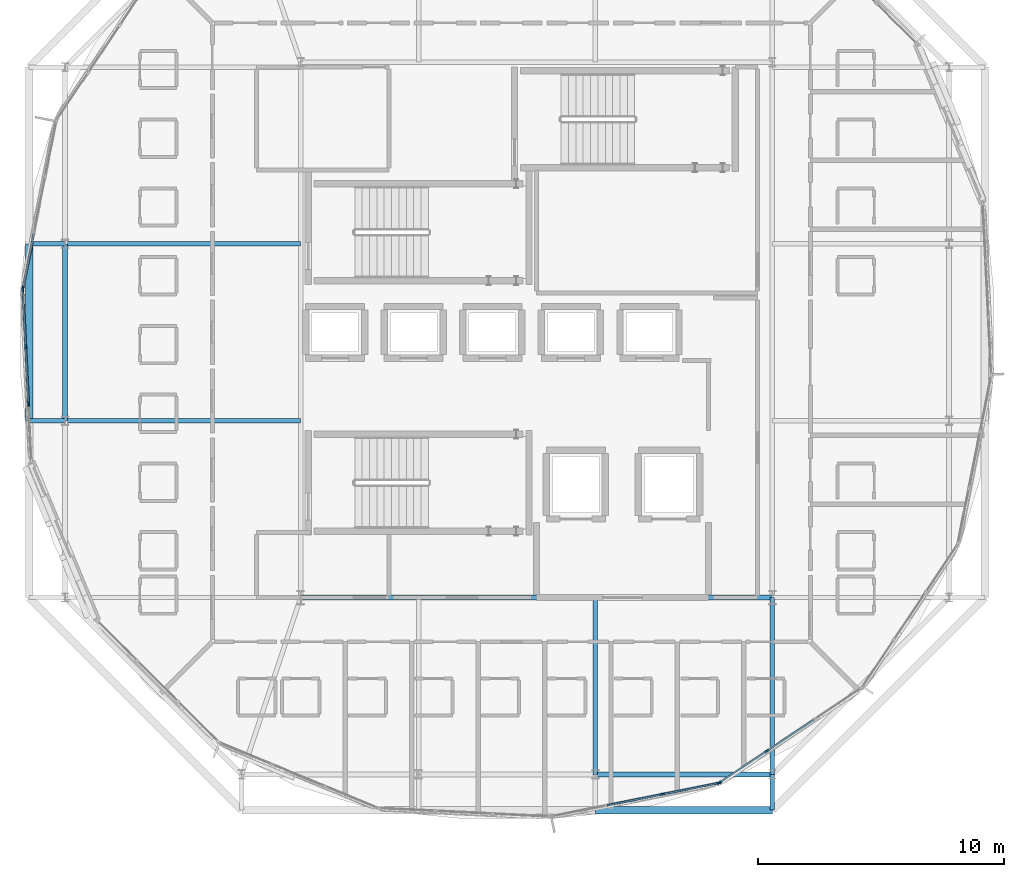
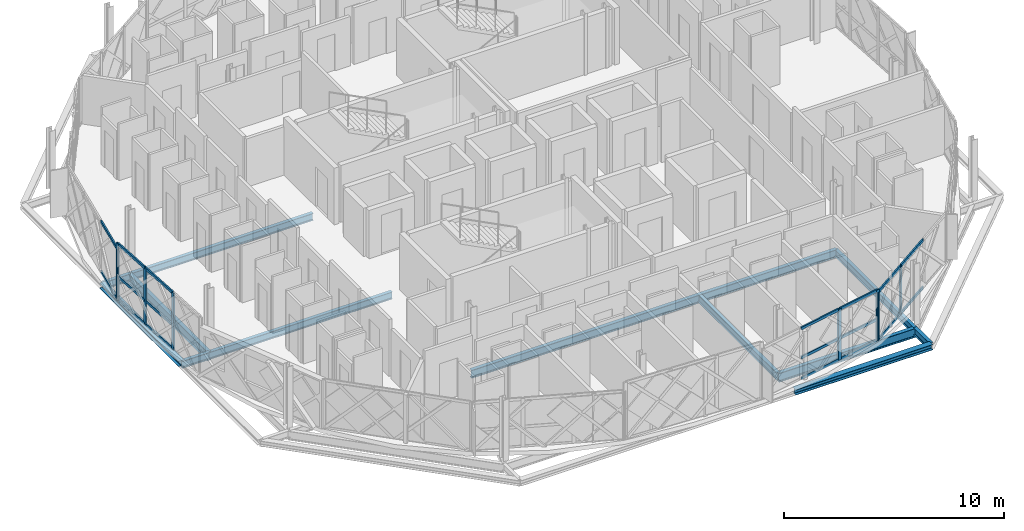
# One storey, part 6 of 24: 26 members, 12 beams, 4 elements without a shape of their own.
"""IFC4 building model written with IfcOpenShell, lengths in metres."""

from ifc_helpers import new_model, si_unit, direction, frame, origin, origin_2d, place, context, subcontext, project, spatial, rectangle, i_section, extrude, material, layer, layer_set, material_profile, profile_set, type_object, element, aggregate, save


model = new_model("IFC4")

# Units and contexts
model_context = context("Model", 3, precision=1e-05, world=origin(), true_north=direction((0.0, 1.0)))
body_context = subcontext(model_context, "Body", "Model", "MODEL_VIEW")
ifc_project = project(units=[si_unit("LENGTHUNIT", "METRE"), si_unit("AREAUNIT", "SQUARE_METRE"), si_unit("VOLUMEUNIT", "CUBIC_METRE"), si_unit("PLANEANGLEUNIT", "RADIAN"), si_unit("MASSUNIT", "GRAM", prefix="KILO")], contexts=[model_context])

# Site, building, storey
site_placement = place(None, origin())
site = spatial("IfcSite", under=ifc_project, at=site_placement, CompositionType="ELEMENT")
building_placement = place(site_placement, origin())
building = spatial("IfcBuilding", under=site, at=building_placement, Name="Zevrakil Square Congress Hotel", CompositionType="ELEMENT")
storey_placement = place(building_placement, frame((0.0, 0.0, 38.5)))
storey = spatial("IfcBuildingStorey", under=building, at=storey_placement, Name="L11", CompositionType="ELEMENT", Elevation=38.5)

# Beams
ifc_material_1 = material(Name="Steel S355", Category="steel")
ifc_material_profile_1 = material_profile(ifc_material_1, i_section(OverallWidth=0.18994140625, OverallDepth=0.449951171875, WebThickness=0.009521484375, FlangeThickness=0.0146484375, FilletRadius=0.02099609375, at=origin_2d()), Name="IPE 450")
ifc_profile_set_1 = profile_set([ifc_material_profile_1], Name="Steel S355")
beam_type_1 = type_object("IfcBeamType", Name="BM-IPE450", PredefinedType="BEAM", material=ifc_profile_set_1)
beam_1_placement = place(storey_placement, frame((136.800048828125, 16.800048828125, -0.4599609375), z_axis=(1.0, 0.0, 0.0), x_axis=(0.0, 1.0, 0.0)))
element("IfcBeam", 1, at=beam_1_placement, inside=storey, type_object=beam_type_1, Name="L11 drum core perimeter tie beam DCB-01", PredefinedType="BEAM", context=body_context, shape_type="SweptSolid", body=[
    extrude(i_section(OverallWidth=0.18994140625, OverallDepth=0.449951171875, WebThickness=0.009521484375, FlangeThickness=0.0146484375, FilletRadius=0.02099609375, at=origin_2d()), origin(), (0.0, 0.0, 1.0), 19.199951171875),
])
ifc_material_2 = material(Name="Steel S355", Category="steel")
ifc_material_profile_2 = material_profile(ifc_material_2, i_section(OverallWidth=0.199951171875, OverallDepth=0.5, WebThickness=0.01025390625, FlangeThickness=0.01611328125, FilletRadius=0.02099609375, at=origin_2d()), Name="IPE 500")
ifc_profile_set_2 = profile_set([ifc_material_profile_2], Name="Steel S355")
beam_type_2 = type_object("IfcBeamType", Name="BM-IPE500", PredefinedType="BEAM", material=ifc_profile_set_2)
for number, where, z_axis, x_axis, name in (
    (2, (148.800048828125, 9.60009765625, -0.485107421875), (1.0, 0.0, 0.0), (0.0, 1.0, 0.0), "L11 drum ring girder DRB-03"),
    (3, (127.199951171875, 31.199951171875, -0.485107421875), (0.0, -1.0, 0.0), (1.0, 0.0, 0.0), "L11 drum ring girder DRB-14"),
):
    element("IfcBeam", number, at=place(storey_placement, frame(where, z_axis=z_axis, x_axis=x_axis)), inside=storey, type_object=beam_type_2, Name=name, PredefinedType="BEAM", context=body_context, shape_type="SweptSolid", body=[
        extrude(i_section(OverallWidth=0.199951171875, OverallDepth=0.5, WebThickness=0.01025390625, FlangeThickness=0.01611328125, FilletRadius=0.02099609375, at=origin_2d()), origin(), (0.0, 0.0, 1.0), 7.199951171875),
    ])

# Curtain wall, members
ifc_material_3 = material(Name="Aluminium Anodised Bronze", Category="aluminium")
ifc_layer = layer(ifc_material_3, 0.179931640625)
ifc_layer_set = layer_set([ifc_layer], Name="Aluminium Anodised Bronze")
curtain_wall_type = type_object("IfcCurtainWallType", Name="CW-L11-720", PredefinedType="USERDEFINED", material=ifc_layer_set)
curtain_wall_1_placement = place(storey_placement, origin())
curtain_wall_1 = element("IfcCurtainWall", 4, at=curtain_wall_1_placement, inside=storey, type_object=curtain_wall_type, Name="L11 diamond curtain wall CW-L11-0286", ObjectType="GLAZED CURTAIN WALL", PredefinedType="USERDEFINED")
ifc_material_4 = material(Name="Aluminium Anodised Bronze", Category="aluminium")
ifc_material_profile_3 = material_profile(ifc_material_4, rectangle(XDim=0.074951171875, YDim=0.14990234375, at=origin_2d()), Name="ALU 75x150")
ifc_profile_set_3 = profile_set([ifc_material_profile_3], Name="Aluminium Anodised Bronze")
member_type_1 = type_object("IfcMemberType", Name="CWM-ALU75x150", PredefinedType="USERDEFINED", material=ifc_profile_set_3)
member_1_placement = place(storey_placement, frame((149.28076171875, 8.345458984375, 0.030029296875), z_axis=(0.980786492568, 0.195084227953, 0.0), x_axis=(-0.195084227953, 0.980786492568, 0.0)))
member_1 = element("IfcMember", 5, at=member_1_placement, type_object=member_type_1, Name="CW-130 transom 2.1", ObjectType="TRANSOM", PredefinedType="USERDEFINED", context=body_context, shape_type="SweptSolid", body=[
    extrude(rectangle(XDim=0.074951171875, YDim=0.14990234375, at=origin_2d()), origin(), (0.0, 0.0, 1.0), 2.275146484375),
])
member_2_placement = place(storey_placement, frame((149.28076171875, 8.345458984375, 1.190673828125), z_axis=(0.980786492568, 0.195084227953, 0.0), x_axis=(-0.195084227953, 0.980786492568, 0.0)))
member_2 = element("IfcMember", 6, at=member_2_placement, type_object=member_type_1, Name="CW-130 transom 2.2", ObjectType="TRANSOM", PredefinedType="USERDEFINED", context=body_context, shape_type="SweptSolid", body=[
    extrude(rectangle(XDim=0.074951171875, YDim=0.14990234375, at=origin_2d()), origin(), (0.0, 0.0, 1.0), 2.275146484375),
])
member_3_placement = place(storey_placement, frame((149.28076171875, 8.345458984375, 2.804931640625), z_axis=(0.980786492568, 0.195084227953, 0.0), x_axis=(-0.195084227953, 0.980786492568, 0.0)))
member_3 = element("IfcMember", 7, at=member_3_placement, type_object=member_type_1, Name="CW-130 transom 2.3", ObjectType="TRANSOM", PredefinedType="USERDEFINED", context=body_context, shape_type="SweptSolid", body=[
    extrude(rectangle(XDim=0.074951171875, YDim=0.14990234375, at=origin_2d()), origin(), (0.0, 0.0, 1.0), 2.275146484375),
])
member_4_placement = place(storey_placement, frame((151.571044921875, 8.801025390625, 0.030029296875), z_axis=(0.98078922397, 0.195070495322, 0.0), x_axis=(-0.195070495322, 0.98078922397, 0.0)))
member_4 = element("IfcMember", 8, at=member_4_placement, type_object=member_type_1, Name="CW-130 transom 3.1", ObjectType="TRANSOM", PredefinedType="USERDEFINED", context=body_context, shape_type="SweptSolid", body=[
    extrude(rectangle(XDim=0.074951171875, YDim=0.14990234375, at=origin_2d()), origin(), (0.0, 0.0, 1.0), 2.245361328125),
])
member_5_placement = place(storey_placement, frame((151.571044921875, 8.801025390625, 1.190673828125), z_axis=(0.98078922397, 0.195070495322, 0.0), x_axis=(-0.195070495322, 0.98078922397, 0.0)))
member_5 = element("IfcMember", 9, at=member_5_placement, type_object=member_type_1, Name="CW-130 transom 3.2", ObjectType="TRANSOM", PredefinedType="USERDEFINED", context=body_context, shape_type="SweptSolid", body=[
    extrude(rectangle(XDim=0.074951171875, YDim=0.14990234375, at=origin_2d()), origin(), (0.0, 0.0, 1.0), 2.245361328125),
])
member_6_placement = place(storey_placement, frame((151.571044921875, 8.801025390625, 2.804931640625), z_axis=(0.98078922397, 0.195070495322, 0.0), x_axis=(-0.195070495322, 0.98078922397, 0.0)))
member_6 = element("IfcMember", 10, at=member_6_placement, type_object=member_type_1, Name="CW-130 transom 3.3", ObjectType="TRANSOM", PredefinedType="USERDEFINED", context=body_context, shape_type="SweptSolid", body=[
    extrude(rectangle(XDim=0.074951171875, YDim=0.14990234375, at=origin_2d()), origin(), (0.0, 0.0, 1.0), 2.245361328125),
])

curtain_wall_2_placement = place(storey_placement, origin())
curtain_wall_2 = element("IfcCurtainWall", 11, at=curtain_wall_2_placement, inside=storey, type_object=curtain_wall_type, Name="L11 diamond curtain wall CW-L11-0287", ObjectType="GLAZED CURTAIN WALL", PredefinedType="USERDEFINED")
member_7_placement = place(storey_placement, frame((153.882080078125, 9.283935546875, 0.030029296875), z_axis=(0.83141404634, 0.555653384358, 0.0), x_axis=(-0.555653384358, 0.83141404634, 0.0)))
member_7 = element("IfcMember", 12, at=member_7_placement, type_object=member_type_1, Name="CW-130 transom 1.1", ObjectType="TRANSOM", PredefinedType="USERDEFINED", context=body_context, shape_type="SweptSolid", body=[
    extrude(rectangle(XDim=0.074951171875, YDim=0.14990234375, at=origin_2d()), origin(), (0.0, 0.0, 1.0), 2.2451171875),
])
member_8_placement = place(storey_placement, frame((153.882080078125, 9.283935546875, 2.6650390625), z_axis=(0.83141404634, 0.555653384358, 0.0), x_axis=(-0.555653384358, 0.83141404634, 0.0)))
member_8 = element("IfcMember", 13, at=member_8_placement, type_object=member_type_1, Name="CW-130 transom 1.2", ObjectType="TRANSOM", PredefinedType="USERDEFINED", context=body_context, shape_type="SweptSolid", body=[
    extrude(rectangle(XDim=0.074951171875, YDim=0.14990234375, at=origin_2d()), origin(), (0.0, 0.0, 1.0), 2.2451171875),
])
member_9_placement = place(storey_placement, frame((155.798828125, 10.564697265625, 0.030029296875), z_axis=(0.831422423114, 0.55564085014, 0.0), x_axis=(-0.55564085014, 0.831422423114, 0.0)))
member_9 = element("IfcMember", 14, at=member_9_placement, type_object=member_type_1, Name="CW-130 transom 2.1", ObjectType="TRANSOM", PredefinedType="USERDEFINED", context=body_context, shape_type="SweptSolid", body=[
    extrude(rectangle(XDim=0.074951171875, YDim=0.14990234375, at=origin_2d()), origin(), (0.0, 0.0, 1.0), 2.275146484375),
])
member_10_placement = place(storey_placement, frame((155.798828125, 10.564697265625, 2.6650390625), z_axis=(0.831422423114, 0.55564085014, 0.0), x_axis=(-0.55564085014, 0.831422423114, 0.0)))
member_10 = element("IfcMember", 15, at=member_10_placement, type_object=member_type_1, Name="CW-130 transom 2.2", ObjectType="TRANSOM", PredefinedType="USERDEFINED", context=body_context, shape_type="SweptSolid", body=[
    extrude(rectangle(XDim=0.074951171875, YDim=0.14990234375, at=origin_2d()), origin(), (0.0, 0.0, 1.0), 2.275146484375),
])

curtain_wall_3_placement = place(storey_placement, origin())
curtain_wall_3 = element("IfcCurtainWall", 16, at=curtain_wall_3_placement, inside=storey, type_object=curtain_wall_type, Name="L11 diamond curtain wall CW-L11-0297", ObjectType="GLAZED CURTAIN WALL", PredefinedType="USERDEFINED")
member_11_placement = place(storey_placement, frame((125.93359375, 31.621826171875, 0.030029296875), z_axis=(-0.195091300997, -0.980785085671, 0.0), x_axis=(0.980785085671, -0.195091300997, 0.0)))
member_11 = element("IfcMember", 17, at=member_11_placement, type_object=member_type_1, Name="CW-130 transom 3.1", ObjectType="TRANSOM", PredefinedType="USERDEFINED", context=body_context, shape_type="SweptSolid", body=[
    extrude(rectangle(XDim=0.074951171875, YDim=0.14990234375, at=origin_2d()), origin(), (0.0, 0.0, 1.0), 2.2451171875),
])
member_12_placement = place(storey_placement, frame((125.93359375, 31.621826171875, 2.804931640625), z_axis=(-0.195091300997, -0.980785085671, 0.0), x_axis=(0.980785085671, -0.195091300997, 0.0)))
member_12 = element("IfcMember", 18, at=member_12_placement, type_object=member_type_1, Name="CW-130 transom 3.2", ObjectType="TRANSOM", PredefinedType="USERDEFINED", context=body_context, shape_type="SweptSolid", body=[
    extrude(rectangle(XDim=0.074951171875, YDim=0.14990234375, at=origin_2d()), origin(), (0.0, 0.0, 1.0), 2.2451171875),
])

curtain_wall_4_placement = place(storey_placement, origin())
curtain_wall_4 = element("IfcCurtainWall", 19, at=curtain_wall_4_placement, inside=storey, type_object=curtain_wall_type, Name="L11 diamond curtain wall CW-L11-0298", ObjectType="GLAZED CURTAIN WALL", PredefinedType="USERDEFINED")
member_13_placement = place(storey_placement, frame((125.487060546875, 29.301025390625, 0.030029296875), z_axis=(0.048949167787, -0.998801271011, 0.0), x_axis=(0.998801271011, 0.048949167787, 0.0)))
member_13 = element("IfcMember", 20, at=member_13_placement, type_object=member_type_1, Name="CW-130 transom 1.1", ObjectType="TRANSOM", PredefinedType="USERDEFINED", context=body_context, shape_type="SweptSolid", body=[
    extrude(rectangle(XDim=0.074951171875, YDim=0.14990234375, at=origin_2d()), origin(), (0.0, 0.0, 1.0), 2.25439453125),
])
member_14_placement = place(storey_placement, frame((125.487060546875, 29.301025390625, 1.322998046875), z_axis=(0.048949167787, -0.998801271011, 0.0), x_axis=(0.998801271011, 0.048949167787, 0.0)))
member_14 = element("IfcMember", 21, at=member_14_placement, type_object=member_type_1, Name="CW-130 transom 1.2", ObjectType="TRANSOM", PredefinedType="USERDEFINED", context=body_context, shape_type="SweptSolid", body=[
    extrude(rectangle(XDim=0.074951171875, YDim=0.14990234375, at=origin_2d()), origin(), (0.0, 0.0, 1.0), 2.25439453125),
])
member_15_placement = place(storey_placement, frame((125.487060546875, 29.301025390625, 3.1201171875), z_axis=(0.048949167787, -0.998801271011, 0.0), x_axis=(0.998801271011, 0.048949167787, 0.0)))
member_15 = element("IfcMember", 22, at=member_15_placement, type_object=member_type_1, Name="CW-130 transom 1.3", ObjectType="TRANSOM", PredefinedType="USERDEFINED", context=body_context, shape_type="SweptSolid", body=[
    extrude(rectangle(XDim=0.074951171875, YDim=0.14990234375, at=origin_2d()), origin(), (0.0, 0.0, 1.0), 2.25439453125),
])
member_16_placement = place(storey_placement, frame((125.6005859375, 26.989501953125, 0.030029296875), z_axis=(0.049052797967, -0.998796186923, 0.0), x_axis=(0.998796186923, 0.049052797967, 0.0)))
member_16 = element("IfcMember", 23, at=member_16_placement, type_object=member_type_1, Name="CW-130 transom 2.1", ObjectType="TRANSOM", PredefinedType="USERDEFINED", context=body_context, shape_type="SweptSolid", body=[
    extrude(rectangle(XDim=0.074951171875, YDim=0.14990234375, at=origin_2d()), origin(), (0.0, 0.0, 1.0), 2.284423828125),
])
member_17_placement = place(storey_placement, frame((125.6005859375, 26.989501953125, 1.322998046875), z_axis=(0.049052797967, -0.998796186923, 0.0), x_axis=(0.998796186923, 0.049052797967, 0.0)))
member_17 = element("IfcMember", 24, at=member_17_placement, type_object=member_type_1, Name="CW-130 transom 2.2", ObjectType="TRANSOM", PredefinedType="USERDEFINED", context=body_context, shape_type="SweptSolid", body=[
    extrude(rectangle(XDim=0.074951171875, YDim=0.14990234375, at=origin_2d()), origin(), (0.0, 0.0, 1.0), 2.284423828125),
])
member_18_placement = place(storey_placement, frame((125.6005859375, 26.989501953125, 3.1201171875), z_axis=(0.049052797967, -0.998796186923, 0.0), x_axis=(0.998796186923, 0.049052797967, 0.0)))
member_18 = element("IfcMember", 25, at=member_18_placement, type_object=member_type_1, Name="CW-130 transom 2.3", ObjectType="TRANSOM", PredefinedType="USERDEFINED", context=body_context, shape_type="SweptSolid", body=[
    extrude(rectangle(XDim=0.074951171875, YDim=0.14990234375, at=origin_2d()), origin(), (0.0, 0.0, 1.0), 2.284423828125),
])

# Member
ifc_material_5 = material(Name="Aluminium Anodised Bronze", Category="aluminium")
ifc_material_profile_4 = material_profile(ifc_material_5, rectangle(XDim=0.074951171875, YDim=0.179931640625, at=origin_2d()), Name="ALU 75x180")
ifc_profile_set_4 = profile_set([ifc_material_profile_4], Name="Aluminium Anodised Bronze")
member_type_2 = type_object("IfcMemberType", Name="CWM-ALU75x180", PredefinedType="MULLION", material=ifc_profile_set_4)
member_19_placement = place(storey_placement, frame((151.541748046875, 8.795166015625, 0.0), z_axis=(0.0, 0.0, 1.0), x_axis=(-0.195083900459, 0.980786557708, 0.0)))
member_19 = element("IfcMember", 26, at=member_19_placement, type_object=member_type_2, Name="CW-130 mullion 3", PredefinedType="MULLION", context=body_context, shape_type="SweptSolid", body=[
    extrude(rectangle(XDim=0.074951171875, YDim=0.179931640625, at=origin_2d()), origin(), (0.0, 0.0, 1.0), 2.8349609375),
])

member_20_placement = place(storey_placement, frame((153.802734375, 9.244873046875, 0.0), z_axis=(0.0, 0.0, 1.0), x_axis=(-0.195083900459, 0.980786557708, 0.0)))
member_20 = element("IfcMember", 27, at=member_20_placement, type_object=member_type_2, Name="CW-130 mullion 4", PredefinedType="MULLION", context=body_context, shape_type="SweptSolid", body=[
    extrude(rectangle(XDim=0.074951171875, YDim=0.179931640625, at=origin_2d()), origin(), (0.0, 0.0, 1.0), 2.8349609375),
])

aggregate(curtain_wall_1, [member_19, member_20, member_1, member_2, member_3, member_4, member_5, member_6])

member_21_placement = place(storey_placement, frame((153.85693359375, 9.267333984375, 0.0), z_axis=(0.0, 0.0, 1.0), x_axis=(-0.555576098128, 0.831465693332, 0.0)))
member_21 = element("IfcMember", 28, at=member_21_placement, type_object=member_type_2, Name="CW-130 mullion 1", PredefinedType="MULLION", context=body_context, shape_type="SweptSolid", body=[
    extrude(rectangle(XDim=0.074951171875, YDim=0.179931640625, at=origin_2d()), origin(), (0.0, 0.0, 1.0), 2.695068359375),
])

member_22_placement = place(storey_placement, frame((155.773681640625, 10.548095703125, 0.0), z_axis=(0.0, 0.0, 1.0), x_axis=(-0.555576098128, 0.831465693332, 0.0)))
member_22 = element("IfcMember", 29, at=member_22_placement, type_object=member_type_2, Name="CW-130 mullion 2", PredefinedType="MULLION", context=body_context, shape_type="SweptSolid", body=[
    extrude(rectangle(XDim=0.074951171875, YDim=0.179931640625, at=origin_2d()), origin(), (0.0, 0.0, 1.0), 2.695068359375),
])

aggregate(curtain_wall_2, [member_21, member_22, member_7, member_8, member_9, member_10])

member_23_placement = place(storey_placement, frame((125.48974609375, 29.390380859375, 0.0), z_axis=(0.0, 0.0, 1.0), x_axis=(0.980786557708, -0.195083900459, 0.0)))
member_23 = element("IfcMember", 30, at=member_23_placement, type_object=member_type_2, Name="CW-130 mullion 4", PredefinedType="MULLION", context=body_context, shape_type="SweptSolid", body=[
    extrude(rectangle(XDim=0.074951171875, YDim=0.179931640625, at=origin_2d()), origin(), (0.0, 0.0, 1.0), 2.8349609375),
])

aggregate(curtain_wall_3, [member_23, member_11, member_12])

member_24_placement = place(storey_placement, frame((125.4853515625, 29.3310546875, 0.0), z_axis=(0.0, 0.0, 1.0), x_axis=(0.998796196761, 0.04905259764, 0.0)))
member_24 = element("IfcMember", 31, at=member_24_placement, type_object=member_type_2, Name="CW-130 mullion 1", PredefinedType="MULLION", context=body_context, shape_type="SweptSolid", body=[
    extrude(rectangle(XDim=0.074951171875, YDim=0.179931640625, at=origin_2d()), origin(), (0.0, 0.0, 1.0), 3.14990234375),
])

member_25_placement = place(storey_placement, frame((125.59912109375, 27.019287109375, 0.0), z_axis=(0.0, 0.0, 1.0), x_axis=(0.998796196761, 0.04905259764, 0.0)))
member_25 = element("IfcMember", 32, at=member_25_placement, type_object=member_type_2, Name="CW-130 mullion 2", PredefinedType="MULLION", context=body_context, shape_type="SweptSolid", body=[
    extrude(rectangle(XDim=0.074951171875, YDim=0.179931640625, at=origin_2d()), origin(), (0.0, 0.0, 1.0), 3.14990234375),
])

member_26_placement = place(storey_placement, frame((125.714111328125, 24.677734375, 0.0), z_axis=(0.0, 0.0, 1.0), x_axis=(0.998796196761, 0.04905259764, 0.0)))
member_26 = element("IfcMember", 33, at=member_26_placement, type_object=member_type_2, Name="CW-130 mullion 3", PredefinedType="MULLION", context=body_context, shape_type="SweptSolid", body=[
    extrude(rectangle(XDim=0.074951171875, YDim=0.179931640625, at=origin_2d()), origin(), (0.0, 0.0, 1.0), 3.14990234375),
])

aggregate(curtain_wall_4, [member_24, member_25, member_26, member_13, member_14, member_15, member_16, member_17, member_18])

# Beams
ifc_material_6 = material(Name="Steel S355", Category="steel")
ifc_material_profile_5 = material_profile(ifc_material_6, i_section(OverallWidth=0.179931640625, OverallDepth=0.39990234375, WebThickness=0.008544921875, FlangeThickness=0.013427734375, FilletRadius=0.02099609375, at=origin_2d()), Name="IPE 400")
ifc_profile_set_5 = profile_set([ifc_material_profile_5], Name="Steel S355")
beam_type_3 = type_object("IfcBeamType", Name="JST-IPE400", PredefinedType="JOIST", material=ifc_profile_set_5)
for number, where, z_axis, x_axis, name in (
    (34, (148.800048828125, 16.800048828125, -0.43505859375), (0.0, -1.0, 0.0), (1.0, 0.0, 0.0), "L11 drum radial floor beam DRI-03"),
    (35, (156.0, 16.800048828125, -0.43505859375), (0.0, -1.0, 0.0), (1.0, 0.0, 0.0), "L11 drum radial floor beam DRI-04"),
):
    element("IfcBeam", number, at=place(storey_placement, frame(where, z_axis=z_axis, x_axis=x_axis)), inside=storey, type_object=beam_type_3, Name=name, PredefinedType="JOIST", context=body_context, shape_type="SweptSolid", body=[
        extrude(i_section(OverallWidth=0.179931640625, OverallDepth=0.39990234375, WebThickness=0.008544921875, FlangeThickness=0.013427734375, FilletRadius=0.02099609375, at=origin_2d()), origin(), (0.0, 0.0, 1.0), 7.199951171875),
    ])
beam_2_placement = place(storey_placement, frame((156.0, 9.60009765625, -0.43505859375), z_axis=(0.0, -1.0, 0.0), x_axis=(1.0, 0.0, 0.0)))
element("IfcBeam", 36, at=beam_2_placement, inside=storey, type_object=beam_type_3, Name="L11 drum radial edge cantilever beam DRO-04", PredefinedType="JOIST", context=body_context, shape_type="SweptSolid", body=[
    extrude(i_section(OverallWidth=0.179931640625, OverallDepth=0.39990234375, WebThickness=0.008544921875, FlangeThickness=0.013427734375, FilletRadius=0.02099609375, at=origin_2d()), origin(), (0.0, 0.0, 1.0), 1.4560546875),
])
beam_3_placement = place(storey_placement, frame((136.800048828125, 31.199951171875, -0.43505859375), z_axis=(-1.0, 0.0, 0.0), x_axis=(0.0, -1.0, 0.0)))
element("IfcBeam", 37, at=beam_3_placement, inside=storey, type_object=beam_type_3, Name="L11 drum radial floor beam DRI-14", PredefinedType="JOIST", context=body_context, shape_type="SweptSolid", body=[
    extrude(i_section(OverallWidth=0.179931640625, OverallDepth=0.39990234375, WebThickness=0.008544921875, FlangeThickness=0.013427734375, FilletRadius=0.02099609375, at=origin_2d()), origin(), (0.0, 0.0, 1.0), 9.60009765625),
])
beam_4_placement = place(storey_placement, frame((127.199951171875, 31.199951171875, -0.43505859375), z_axis=(-1.0, 0.0, 0.0), x_axis=(0.0, -1.0, 0.0)))
element("IfcBeam", 38, at=beam_4_placement, inside=storey, type_object=beam_type_3, Name="L11 drum radial edge cantilever beam DRO-14", PredefinedType="JOIST", context=body_context, shape_type="SweptSolid", body=[
    extrude(i_section(OverallWidth=0.179931640625, OverallDepth=0.39990234375, WebThickness=0.008544921875, FlangeThickness=0.013427734375, FilletRadius=0.02099609375, at=origin_2d()), origin(), (0.0, 0.0, 1.0), 1.4560546875),
])
beam_5_placement = place(storey_placement, frame((136.800048828125, 24.0, -0.43505859375), z_axis=(-1.0, 0.0, 0.0), x_axis=(0.0, -1.0, 0.0)))
element("IfcBeam", 39, at=beam_5_placement, inside=storey, type_object=beam_type_3, Name="L11 drum radial floor beam DRI-15", PredefinedType="JOIST", context=body_context, shape_type="SweptSolid", body=[
    extrude(i_section(OverallWidth=0.179931640625, OverallDepth=0.39990234375, WebThickness=0.008544921875, FlangeThickness=0.013427734375, FilletRadius=0.02099609375, at=origin_2d()), origin(), (0.0, 0.0, 1.0), 9.60009765625),
])
beam_6_placement = place(storey_placement, frame((127.199951171875, 24.0, -0.43505859375), z_axis=(-1.0, 0.0, 0.0), x_axis=(0.0, -1.0, 0.0)))
element("IfcBeam", 40, at=beam_6_placement, inside=storey, type_object=beam_type_3, Name="L11 drum radial edge cantilever beam DRO-15", PredefinedType="JOIST", context=body_context, shape_type="SweptSolid", body=[
    extrude(i_section(OverallWidth=0.179931640625, OverallDepth=0.39990234375, WebThickness=0.008544921875, FlangeThickness=0.013427734375, FilletRadius=0.02099609375, at=origin_2d()), origin(), (0.0, 0.0, 1.0), 1.4560546875),
])
ifc_material_7 = material(Name="Steel S355", Category="steel")
ifc_material_profile_6 = material_profile(ifc_material_7, i_section(OverallWidth=0.300048828125, OverallDepth=0.300048828125, WebThickness=0.010986328125, FlangeThickness=0.01904296875, FilletRadius=0.027099609375, at=origin_2d()), Name="HEB 300")
ifc_profile_set_6 = profile_set([ifc_material_profile_6], Name="Steel S355")
beam_type_4 = type_object("IfcBeamType", Name="SPD-RHS250", PredefinedType="SPANDREL", material=ifc_profile_set_6)
for number, where, z_axis, x_axis, name in (
    (41, (148.800048828125, 8.14404296875, -0.385009765625), (1.0, 0.0, 0.0), (0.0, 1.0, 0.0), "L11 drum edge spandrel beam DSP-02"),
    (42, (125.743896484375, 31.199951171875, -0.385009765625), (0.0, -1.0, 0.0), (1.0, 0.0, 0.0), "L11 drum edge spandrel beam DSP-13"),
):
    element("IfcBeam", number, at=place(storey_placement, frame(where, z_axis=z_axis, x_axis=x_axis)), inside=storey, type_object=beam_type_4, Name=name, PredefinedType="SPANDREL", context=body_context, shape_type="SweptSolid", body=[
        extrude(i_section(OverallWidth=0.300048828125, OverallDepth=0.300048828125, WebThickness=0.010986328125, FlangeThickness=0.01904296875, FilletRadius=0.027099609375, at=origin_2d()), origin(), (0.0, 0.0, 1.0), 7.199951171875),
    ])

save(model, "model.ifc")
